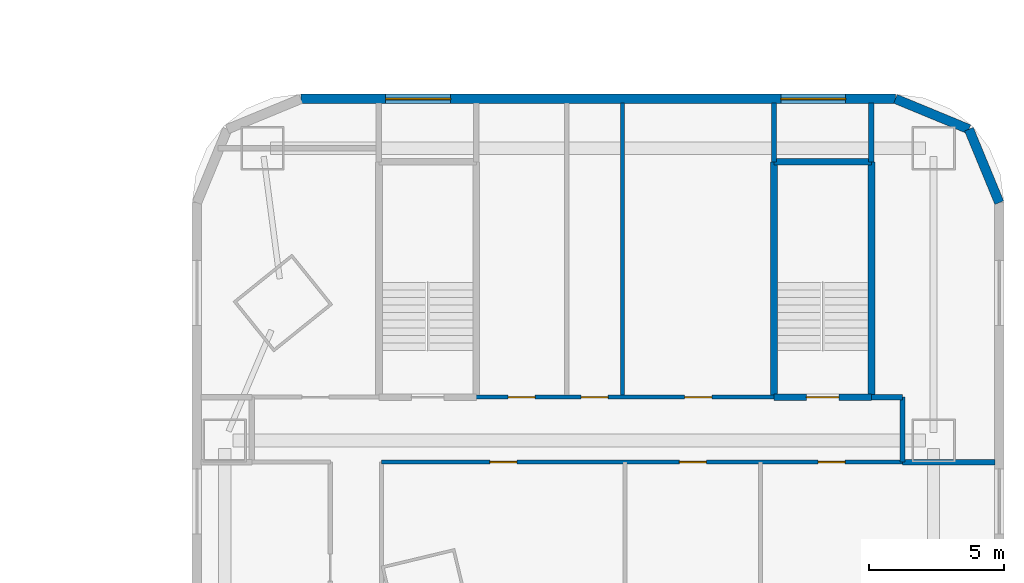
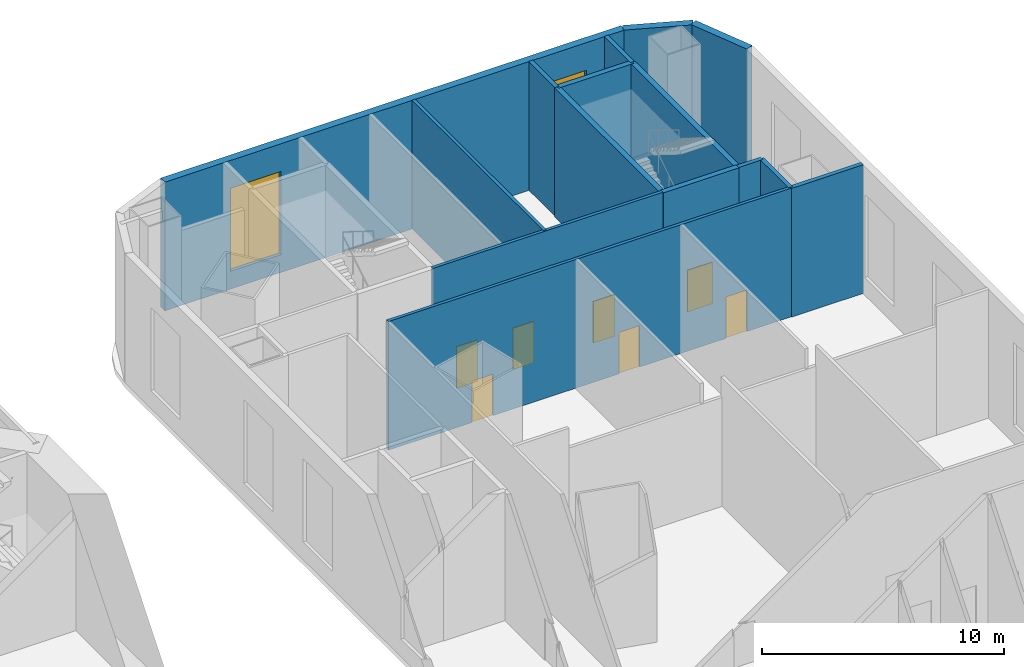
# One storey, part 15 of 19: 15 walls, 7 doors, 2 windows, 9 openings.
"""IFC4 building model written with IfcOpenShell, lengths in metres."""

from ifc_helpers import new_model, si_unit, direction, frame, frame_2d, origin, place, context, subcontext, project, spatial, rectangle, extrude, material, layer, layer_set, type_object, element, fill, save


model = new_model("IFC4")

# Units and contexts
model_context = context("Model", 3, precision=1e-05, world=origin(), true_north=direction((0.0, 1.0)))
body_context = subcontext(model_context, "Body", "Model", "MODEL_VIEW")
ifc_project = project(units=[si_unit("LENGTHUNIT", "METRE"), si_unit("AREAUNIT", "SQUARE_METRE"), si_unit("VOLUMEUNIT", "CUBIC_METRE"), si_unit("PLANEANGLEUNIT", "RADIAN"), si_unit("MASSUNIT", "GRAM", prefix="KILO")], contexts=[model_context])

# Site, building, storey
site_placement = place(None, origin())
site = spatial("IfcSite", under=ifc_project, at=site_placement, CompositionType="ELEMENT")
building_placement = place(site_placement, origin())
building = spatial("IfcBuilding", under=site, at=building_placement, Name="Marenthal Gate Tower", CompositionType="ELEMENT")
storey_placement = place(building_placement, frame((0.0, 0.0, 19.0)))
storey = spatial("IfcBuildingStorey", under=building, at=storey_placement, Name="L02", CompositionType="ELEMENT", Elevation=19.0)

# Wall, openings, doors
ifc_material_1 = material(Name="Gypsum board on steel studs", Category="steel")
ifc_layer_1 = layer(ifc_material_1, 0.14990234375)
ifc_layer_set_1 = layer_set([ifc_layer_1], Name="Partition 150")
wall_type_1 = type_object("IfcWallType", Name="Partition 150", PredefinedType="PARTITIONING", material=ifc_layer_set_1)
wall_1_placement = place(storey_placement, frame((32.9951171875, 10.39990234375, 0.0), z_axis=(0.0, 0.0, 1.0), x_axis=(1.0, 0.0, 0.0)))
wall_1 = element("IfcWall", 1, at=wall_1_placement, inside=storey, type_object=wall_type_1, Name="Partition wall 61", PredefinedType="PARTITIONING", context=body_context, shape_type="SweptSolid", body=[
    extrude(rectangle(XDim=19.2548828125, YDim=0.14990234375, at=frame_2d((9.62744140625, 0.0))), origin(), (0.0, 0.0, 1.0), 6.5),
])
opening_1_placement = place(wall_1_placement, frame((4.0048828125, 0.0, 0.0)))
opening_1 = element("IfcOpeningElement", 2, at=opening_1_placement, cuts=wall_1, Name="Opening D012.04", PredefinedType="OPENING", context=body_context, shape_type="SweptSolid", body=[
    extrude(rectangle(XDim=1.0, YDim=2.10009765625, at=frame_2d((0.5, 1.050048828125))), frame((0.0, 0.0849609375, 0.0), z_axis=(0.0, -1.0, 0.0), x_axis=(1.0, 0.0, 0.0)), (0.0, 0.0, 1.0), 0.169921875),
])
opening_2_placement = place(wall_1_placement, frame((11.0048828125, 0.0, 0.0)))
opening_2 = element("IfcOpeningElement", 3, at=opening_2_placement, cuts=wall_1, Name="Opening D012.05", PredefinedType="OPENING", context=body_context, shape_type="SweptSolid", body=[
    extrude(rectangle(XDim=1.0, YDim=2.10009765625, at=frame_2d((0.5, 1.050048828125))), frame((0.0, 0.0849609375, 0.0), z_axis=(0.0, -1.0, 0.0), x_axis=(1.0, 0.0, 0.0)), (0.0, 0.0, 1.0), 0.169921875),
])
opening_3_placement = place(wall_1_placement, frame((16.132568359375, 0.0, 0.0)))
opening_3 = element("IfcOpeningElement", 4, at=opening_3_placement, cuts=wall_1, Name="Opening D012.06", PredefinedType="OPENING", context=body_context, shape_type="SweptSolid", body=[
    extrude(rectangle(XDim=1.0, YDim=2.10009765625, at=frame_2d((0.5, 1.050048828125))), frame((0.0, 0.0849609375, 0.0), z_axis=(0.0, -1.0, 0.0), x_axis=(1.0, 0.0, 0.0)), (0.0, 0.0, 1.0), 0.169921875),
])
ifc_material_2 = material(Name="Timber door", Category="wood")
door_type_1 = type_object("IfcDoorType", Name="Door 1000 x 2100", OperationType="NOTDEFINED", PredefinedType="DOOR", material=ifc_material_2)
door_1_placement = place(opening_1_placement, frame((1.0, 0.0, 0.0), z_axis=(0.0, 0.0, 1.0), x_axis=(-1.0, 0.0, 0.0)))
door_1 = element("IfcDoor", 5, at=door_1_placement, inside=storey, type_object=door_type_1, Name="Door D012.04", OperationType="SINGLE_SWING_LEFT", OverallHeight=2.10009765625, OverallWidth=1.0, PredefinedType="DOOR", context=body_context, shape_type="SweptSolid", body=[
    extrude(rectangle(XDim=1.0, YDim=2.10009765625, at=frame_2d((0.5, 1.050048828125))), frame((0.0, 0.02490234375, 0.0), z_axis=(0.0, -1.0, 0.0), x_axis=(1.0, 0.0, 0.0)), (0.0, 0.0, 1.0), 0.050048828125),
])
fill(opening_1, door_1)
door_2_placement = place(opening_2_placement, frame((1.0, 0.0, 0.0), z_axis=(0.0, 0.0, 1.0), x_axis=(-1.0, 0.0, 0.0)))
door_2 = element("IfcDoor", 6, at=door_2_placement, inside=storey, type_object=door_type_1, Name="Door D012.05", OperationType="SINGLE_SWING_LEFT", OverallHeight=2.10009765625, OverallWidth=1.0, PredefinedType="DOOR", context=body_context, shape_type="SweptSolid", body=[
    extrude(rectangle(XDim=1.0, YDim=2.10009765625, at=frame_2d((0.5, 1.050048828125))), frame((0.0, 0.02490234375, 0.0), z_axis=(0.0, -1.0, 0.0), x_axis=(1.0, 0.0, 0.0)), (0.0, 0.0, 1.0), 0.050048828125),
])
fill(opening_2, door_2)
door_3_placement = place(opening_3_placement, frame((1.0, 0.0, 0.0), z_axis=(0.0, 0.0, 1.0), x_axis=(-1.0, 0.0, 0.0)))
door_3 = element("IfcDoor", 7, at=door_3_placement, inside=storey, type_object=door_type_1, Name="Door D012.06", OperationType="SINGLE_SWING_LEFT", OverallHeight=2.10009765625, OverallWidth=1.0, PredefinedType="DOOR", context=body_context, shape_type="SweptSolid", body=[
    extrude(rectangle(XDim=1.0, YDim=2.10009765625, at=frame_2d((0.5, 1.050048828125))), frame((0.0, 0.02490234375, 0.0), z_axis=(0.0, -1.0, 0.0), x_axis=(1.0, 0.0, 0.0)), (0.0, 0.0, 1.0), 0.050048828125),
])
fill(opening_3, door_3)

wall_2_placement = place(storey_placement, frame((36.4951171875, 12.800048828125, 0.0), z_axis=(0.0, 0.0, 1.0), x_axis=(1.0, 0.0, 0.0)))
wall_2 = element("IfcWall", 8, at=wall_2_placement, inside=storey, type_object=wall_type_1, Name="Partition wall 65", PredefinedType="PARTITIONING", context=body_context, shape_type="SweptSolid", body=[
    extrude(rectangle(XDim=11.009765625, YDim=0.14990234375, at=frame_2d((5.5048828125, 0.0))), origin(), (0.0, 0.0, 1.0), 6.5),
])
opening_4_placement = place(wall_2_placement, frame((1.175048828125, 0.0, 0.0)))
opening_4 = element("IfcOpeningElement", 9, at=opening_4_placement, cuts=wall_2, Name="Opening D012.01", PredefinedType="OPENING", context=body_context, shape_type="SweptSolid", body=[
    extrude(rectangle(XDim=1.0, YDim=2.10009765625, at=frame_2d((0.5, 1.050048828125))), frame((0.0, 0.0849609375, 0.0), z_axis=(0.0, -1.0, 0.0), x_axis=(1.0, 0.0, 0.0)), (0.0, 0.0, 1.0), 0.169921875),
])
opening_5_placement = place(wall_2_placement, frame((3.875, 0.0, 0.0)))
opening_5 = element("IfcOpeningElement", 10, at=opening_5_placement, cuts=wall_2, Name="Opening D012.02", PredefinedType="OPENING", context=body_context, shape_type="SweptSolid", body=[
    extrude(rectangle(XDim=1.0, YDim=2.10009765625, at=frame_2d((0.5, 1.050048828125))), frame((0.0, 0.0849609375, 0.0), z_axis=(0.0, -1.0, 0.0), x_axis=(1.0, 0.0, 0.0)), (0.0, 0.0, 1.0), 0.169921875),
])
opening_6_placement = place(wall_2_placement, frame((7.705078125, 0.0, 0.0)))
opening_6 = element("IfcOpeningElement", 11, at=opening_6_placement, cuts=wall_2, Name="Opening D012.03", PredefinedType="OPENING", context=body_context, shape_type="SweptSolid", body=[
    extrude(rectangle(XDim=1.0, YDim=2.10009765625, at=frame_2d((0.5, 1.050048828125))), frame((0.0, 0.0849609375, 0.0), z_axis=(0.0, -1.0, 0.0), x_axis=(1.0, 0.0, 0.0)), (0.0, 0.0, 1.0), 0.169921875),
])
door_4_placement = place(opening_4_placement, origin())
door_4 = element("IfcDoor", 12, at=door_4_placement, inside=storey, type_object=door_type_1, Name="Door D012.01", OperationType="SINGLE_SWING_RIGHT", OverallHeight=2.10009765625, OverallWidth=1.0, PredefinedType="DOOR", context=body_context, shape_type="SweptSolid", body=[
    extrude(rectangle(XDim=1.0, YDim=2.10009765625, at=frame_2d((0.5, 1.050048828125))), frame((0.0, 0.02490234375, 0.0), z_axis=(0.0, -1.0, 0.0), x_axis=(1.0, 0.0, 0.0)), (0.0, 0.0, 1.0), 0.050048828125),
])
fill(opening_4, door_4)
door_5_placement = place(opening_5_placement, origin())
door_5 = element("IfcDoor", 13, at=door_5_placement, inside=storey, type_object=door_type_1, Name="Door D012.02", OperationType="SINGLE_SWING_RIGHT", OverallHeight=2.10009765625, OverallWidth=1.0, PredefinedType="DOOR", context=body_context, shape_type="SweptSolid", body=[
    extrude(rectangle(XDim=1.0, YDim=2.10009765625, at=frame_2d((0.5, 1.050048828125))), frame((0.0, 0.02490234375, 0.0), z_axis=(0.0, -1.0, 0.0), x_axis=(1.0, 0.0, 0.0)), (0.0, 0.0, 1.0), 0.050048828125),
])
fill(opening_5, door_5)
door_6_placement = place(opening_6_placement, origin())
door_6 = element("IfcDoor", 14, at=door_6_placement, inside=storey, type_object=door_type_1, Name="Door D012.03", OperationType="SINGLE_SWING_RIGHT", OverallHeight=2.10009765625, OverallWidth=1.0, PredefinedType="DOOR", context=body_context, shape_type="SweptSolid", body=[
    extrude(rectangle(XDim=1.0, YDim=2.10009765625, at=frame_2d((0.5, 1.050048828125))), frame((0.0, 0.02490234375, 0.0), z_axis=(0.0, -1.0, 0.0), x_axis=(1.0, 0.0, 0.0)), (0.0, 0.0, 1.0), 0.050048828125),
])
fill(opening_6, door_6)

# Walls
wall_3_placement = place(storey_placement, frame((41.89990234375, 12.800048828125, 0.0), z_axis=(0.0, 0.0, 1.0), x_axis=(0.0, 1.0, 0.0)))
element("IfcWall", 15, at=wall_3_placement, inside=storey, type_object=wall_type_1, Name="Partition wall 70", PredefinedType="PARTITIONING", context=body_context, shape_type="SweptSolid", body=[
    extrude(rectangle(XDim=10.869873046875, YDim=0.14990234375, at=frame_2d((5.43505859375, 0.0))), origin(), (0.0, 0.0, 1.0), 6.5),
])
ifc_material_3 = material(Name="Gypsum board on steel studs", Category="steel")
ifc_layer_2 = layer(ifc_material_3, 0.199951171875)
ifc_layer_set_2 = layer_set([ifc_layer_2], Name="Partition 200")
wall_type_2 = type_object("IfcWallType", Name="Partition 200", PredefinedType="PARTITIONING", material=ifc_layer_set_2)
wall_4_placement = place(storey_placement, frame((52.2451171875, 10.39990234375, 0.0), z_axis=(0.0, 0.0, 1.0), x_axis=(1.0, 0.0, 0.0)))
element("IfcWall", 16, at=wall_4_placement, inside=storey, type_object=wall_type_2, Name="Partition wall 99", PredefinedType="PARTITIONING", context=body_context, shape_type="SweptSolid", body=[
    extrude(rectangle(XDim=3.4248046875, YDim=0.199951171875, at=frame_2d((1.71240234375, 0.0))), origin(), (0.0, 0.0, 1.0), 6.5),
])
wall_5_placement = place(storey_placement, frame((51.094970703125, 12.800048828125, 0.0), z_axis=(0.0, 0.0, 1.0), x_axis=(1.0, 0.0, 0.0)))
element("IfcWall", 17, at=wall_5_placement, inside=storey, type_object=wall_type_2, Name="Partition wall 03", PredefinedType="PARTITIONING", context=body_context, shape_type="SweptSolid", body=[
    extrude(rectangle(XDim=1.155029296875, YDim=0.199951171875, at=frame_2d((0.57763671875, 0.0))), origin(), (0.0, 0.0, 1.0), 6.5),
])
wall_6_placement = place(storey_placement, frame((52.25, 10.39990234375, 0.0), z_axis=(0.0, 0.0, 1.0), x_axis=(0.0, 1.0, 0.0)))
element("IfcWall", 18, at=wall_6_placement, inside=storey, type_object=wall_type_2, Name="Partition wall 08", PredefinedType="PARTITIONING", context=body_context, shape_type="SweptSolid", body=[
    extrude(rectangle(XDim=2.400146484375, YDim=0.199951171875, at=frame_2d((1.2001953125, 0.0))), origin(), (0.0, 0.0, 1.0), 6.5),
])
for number, where, z_axis, x_axis, name in (
    (19, (51.10009765625, 21.49609375, 0.0), (0.0, 0.0, 1.0), (0.0, 1.0, 0.0), "Partition wall 09"),
    (20, (47.5, 21.49609375, 0.0), (0.0, 0.0, 1.0), (0.0, 1.0, 0.0), "Partition wall 10"),
):
    element("IfcWall", number, at=place(storey_placement, frame(where, z_axis=z_axis, x_axis=x_axis)), inside=storey, type_object=wall_type_2, Name=name, PredefinedType="PARTITIONING", context=body_context, shape_type="SweptSolid", body=[
        extrude(rectangle(XDim=2.173828125, YDim=0.199951171875, at=frame_2d((1.0869140625, 0.0))), origin(), (0.0, 0.0, 1.0), 6.5),
    ])

# Wall, opening, door
ifc_material_4 = material(Name="Concrete 50 MPa", Category="concrete")
ifc_layer_3 = layer(ifc_material_4, 0.25)
ifc_layer_set_3 = layer_set([ifc_layer_3], Name="Stair shear wall 250")
wall_type_3 = type_object("IfcWallType", Name="Stair shear wall 250", PredefinedType="SHEAR", material=ifc_layer_set_3)
wall_7_placement = place(storey_placement, frame((47.4951171875, 12.800048828125, 0.0), z_axis=(0.0, 0.0, 1.0), x_axis=(1.0, 0.0, 0.0)))
wall_7 = element("IfcWall", 21, at=wall_7_placement, inside=storey, type_object=wall_type_3, Name="Stair wall 35", PredefinedType="SHEAR", context=body_context, shape_type="SweptSolid", body=[
    extrude(rectangle(XDim=3.60986328125, YDim=0.25, at=frame_2d((1.804931640625, 0.0))), origin(), (0.0, 0.0, 1.0), 6.5),
])
opening_7_placement = place(wall_7_placement, frame((1.205078125, 0.0, 0.0)))
opening_7 = element("IfcOpeningElement", 22, at=opening_7_placement, cuts=wall_7, Name="Opening D001.04", PredefinedType="OPENING", context=body_context, shape_type="SweptSolid", body=[
    extrude(rectangle(XDim=1.199951171875, YDim=2.10009765625, at=frame_2d((0.60009765625, 1.050048828125))), frame((0.0, 0.135009765625, 0.0), z_axis=(0.0, -1.0, 0.0), x_axis=(1.0, 0.0, 0.0)), (0.0, 0.0, 1.0), 0.27001953125),
])
ifc_material_5 = material(Name="Steel fire door", Category="steel")
door_type_2 = type_object("IfcDoorType", Name="Fire door FD 90 1200 x 2100", OperationType="NOTDEFINED", PredefinedType="DOOR", material=ifc_material_5)
door_7_placement = place(opening_7_placement, origin())
door_7 = element("IfcDoor", 23, at=door_7_placement, inside=storey, type_object=door_type_2, Name="Door D001.04", OperationType="SINGLE_SWING_RIGHT", OverallHeight=2.10009765625, OverallWidth=1.199951171875, PredefinedType="DOOR", context=body_context, shape_type="SweptSolid", body=[
    extrude(rectangle(XDim=1.199951171875, YDim=2.10009765625, at=frame_2d((0.60009765625, 1.050048828125))), frame((0.0, 0.02490234375, 0.0), z_axis=(0.0, -1.0, 0.0), x_axis=(1.0, 0.0, 0.0)), (0.0, 0.0, 1.0), 0.050048828125),
])
fill(opening_7, door_7)

# Walls
wall_8_placement = place(storey_placement, frame((47.5, 21.5, 0.0), z_axis=(0.0, 0.0, 1.0), x_axis=(1.0, 0.0, 0.0)))
element("IfcWall", 24, at=wall_8_placement, inside=storey, type_object=wall_type_3, Name="Stair wall 39", PredefinedType="SHEAR", context=body_context, shape_type="SweptSolid", body=[
    extrude(rectangle(XDim=3.60009765625, YDim=0.25, at=frame_2d((1.800048828125, 0.0))), origin(), (0.0, 0.0, 1.0), 6.5),
])
for number, where, z_axis, x_axis, name in (
    (25, (51.10009765625, 12.800048828125, 0.0), (0.0, 0.0, 1.0), (0.0, 1.0, 0.0), "Stair wall 40"),
    (26, (47.5, 12.800048828125, 0.0), (0.0, 0.0, 1.0), (0.0, 1.0, 0.0), "Stair wall 41"),
):
    element("IfcWall", number, at=place(storey_placement, frame(where, z_axis=z_axis, x_axis=x_axis)), inside=storey, type_object=wall_type_3, Name=name, PredefinedType="SHEAR", context=body_context, shape_type="SweptSolid", body=[
        extrude(rectangle(XDim=8.699951171875, YDim=0.25, at=frame_2d((4.35009765625, 0.0))), origin(), (0.0, 0.0, 1.0), 6.5),
    ])
ifc_material_6 = material(Name="Terracotta cladding on insulated concrete-block backing", Category="masonry")
ifc_layer_4 = layer(ifc_material_6, 0.35009765625)
ifc_layer_set_4 = layer_set([ifc_layer_4], Name="Terracotta cladding wall 350")
wall_type_4 = type_object("IfcWallType", Name="Terracotta cladding wall 350", PredefinedType="SOLIDWALL", material=ifc_layer_set_4)
for number, where, z_axis, x_axis, name in (
    (27, (55.824951171875, 19.988525390625, 0.0), (0.0, 0.0, 1.0), (-0.381727741993, 0.924274813566, 0.0), "Terracotta cladding wall L02 E4"),
    (28, (54.70361328125, 22.70361328125, 0.0), (0.0, 0.0, 1.0), (-0.924274813566, 0.381727741993, 0.0), "Terracotta cladding wall L02 E5"),
):
    element("IfcWall", number, at=place(storey_placement, frame(where, z_axis=z_axis, x_axis=x_axis)), inside=storey, type_object=wall_type_4, Name=name, PredefinedType="SOLIDWALL", context=body_context, shape_type="SweptSolid", body=[
        extrude(rectangle(XDim=2.9375, YDim=0.35009765625, at=frame_2d((1.46875, 0.0))), origin(), (0.0, 0.0, 1.0), 6.5),
    ])

# Wall, openings, windows
wall_9_placement = place(storey_placement, frame((51.988525390625, 23.824951171875, 0.0), z_axis=(0.0, 0.0, 1.0), x_axis=(-1.0, 0.0, 0.0)))
wall_9 = element("IfcWall", 29, at=wall_9_placement, inside=storey, type_object=wall_type_4, Name="Terracotta cladding wall L02 E6", PredefinedType="SOLIDWALL", context=body_context, shape_type="SweptSolid", body=[
    extrude(rectangle(XDim=21.97705078125, YDim=0.35009765625, at=frame_2d((10.988525390625, 0.0))), origin(), (0.0, 0.0, 1.0), 6.5),
])
opening_8_placement = place(wall_9_placement, frame((1.83837890625, 0.0, 0.89990234375)))
opening_8 = element("IfcOpeningElement", 30, at=opening_8_placement, cuts=wall_9, Name="Opening WN4-L02-23", PredefinedType="OPENING", context=body_context, shape_type="SweptSolid", body=[
    extrude(rectangle(XDim=2.39990234375, YDim=4.199951171875, at=frame_2d((1.199951171875, 2.10009765625))), frame((0.0, 0.18505859375, 0.0), z_axis=(0.0, -1.0, 0.0), x_axis=(1.0, 0.0, 0.0)), (0.0, 0.0, 1.0), 0.3701171875),
])
opening_9_placement = place(wall_9_placement, frame((16.4384765625, 0.0, 0.89990234375)))
opening_9 = element("IfcOpeningElement", 31, at=opening_9_placement, cuts=wall_9, Name="Opening WN4-L02-24", PredefinedType="OPENING", context=body_context, shape_type="SweptSolid", body=[
    extrude(rectangle(XDim=2.39990234375, YDim=4.199951171875, at=frame_2d((1.199951171875, 2.10009765625))), frame((0.0, 0.18505859375, 0.0), z_axis=(0.0, -1.0, 0.0), x_axis=(1.0, 0.0, 0.0)), (0.0, 0.0, 1.0), 0.3701171875),
])
ifc_material_7 = material(Name="Aluminium and laminated impact-rated glass", Category="aluminium")
window_type = type_object("IfcWindowType", Name="Window 2400x4200 impact-rated", PartitioningType="DOUBLE_PANEL_VERTICAL", PredefinedType="WINDOW", material=ifc_material_7)
window_1_placement = place(opening_8_placement, origin())
window_1 = element("IfcWindow", 32, at=window_1_placement, inside=storey, type_object=window_type, Name="Window L02 E6 1", OverallHeight=4.199951171875, OverallWidth=2.39990234375, PartitioningType="SINGLE_PANEL", PredefinedType="WINDOW", context=body_context, shape_type="SweptSolid", body=[
    extrude(rectangle(XDim=2.39990234375, YDim=4.199951171875, at=frame_2d((1.199951171875, 2.10009765625))), frame((0.0, 0.030029296875, 0.0), z_axis=(0.0, -1.0, 0.0), x_axis=(1.0, 0.0, 0.0)), (0.0, 0.0, 1.0), 0.06005859375),
])
fill(opening_8, window_1)
window_2_placement = place(opening_9_placement, origin())
window_2 = element("IfcWindow", 33, at=window_2_placement, inside=storey, type_object=window_type, Name="Window L02 E6 2", OverallHeight=4.199951171875, OverallWidth=2.39990234375, PartitioningType="SINGLE_PANEL", PredefinedType="WINDOW", context=body_context, shape_type="SweptSolid", body=[
    extrude(rectangle(XDim=2.39990234375, YDim=4.199951171875, at=frame_2d((1.199951171875, 2.10009765625))), frame((0.0, 0.030029296875, 0.0), z_axis=(0.0, -1.0, 0.0), x_axis=(1.0, 0.0, 0.0)), (0.0, 0.0, 1.0), 0.06005859375),
])
fill(opening_9, window_2)

save(model, "model.ifc")
